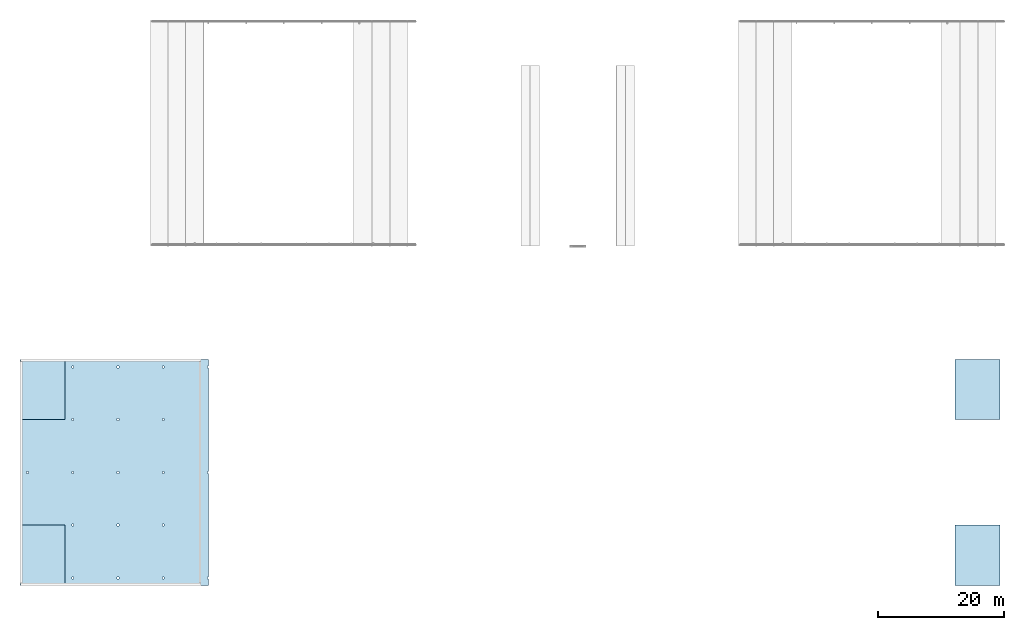
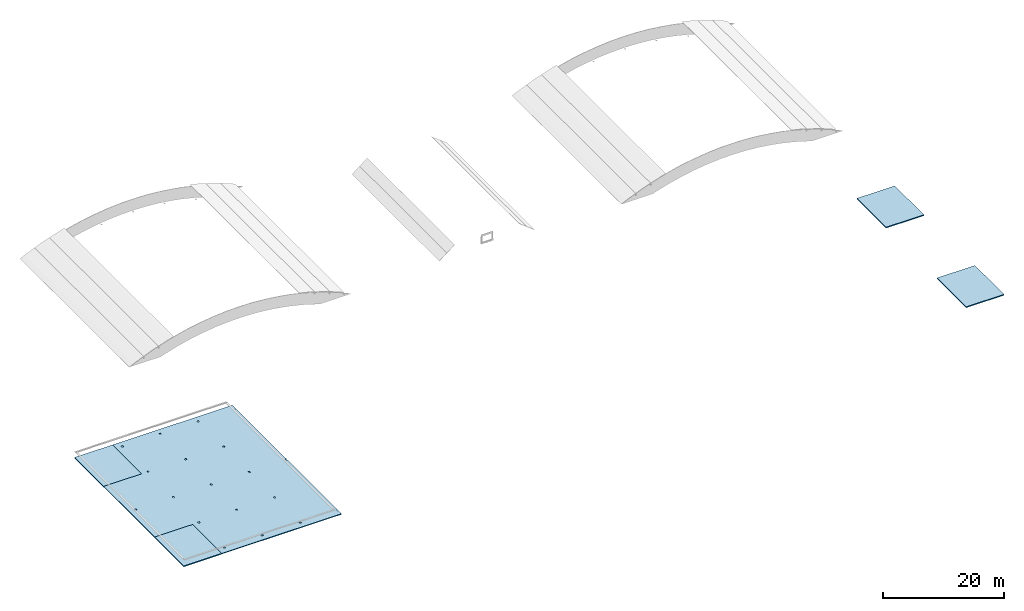
# One storey, part 1 of 17: 5 slabs.
"""IFC4 building model written with IfcOpenShell, lengths in metres."""

from ifc_helpers import new_model, si_unit, direction, frame, origin, place, context, subcontext, project, spatial, polyline, outline, extrude, material, layer, layer_set, type_object, element, save


model = new_model("IFC4")

# Units and contexts
model_context = context("Model", 3, precision=1e-05, world=origin(), true_north=direction((0.0, 1.0)))
body_context = subcontext(model_context, "Body", "Model", "MODEL_VIEW")
ifc_project = project(units=[si_unit("LENGTHUNIT", "METRE"), si_unit("AREAUNIT", "SQUARE_METRE"), si_unit("VOLUMEUNIT", "CUBIC_METRE"), si_unit("PLANEANGLEUNIT", "RADIAN"), si_unit("MASSUNIT", "GRAM", prefix="KILO")], contexts=[model_context])

# Site, building, storey
site_placement = place(None, origin())
site = spatial("IfcSite", under=ifc_project, at=site_placement, CompositionType="ELEMENT")
building_placement = place(site_placement, origin())
building = spatial("IfcBuilding", under=site, at=building_placement, Name="Verrick Yard Athletic Hall", CompositionType="ELEMENT")
storey_placement = place(building_placement, frame((0.0, 0.0, 18.199951171875)))
storey = spatial("IfcBuildingStorey", under=building, at=storey_placement, Name="Roof", CompositionType="ELEMENT", Elevation=18.199951171875)

# Slabs
ifc_material = material(Name="Concrete 35 MPa", Category="concrete")
ifc_layer_1 = layer(ifc_material, 0.199951171875)
ifc_layer_set_1 = layer_set([ifc_layer_1], Name="Core roof slab 200")
slab_type_1 = type_object("IfcSlabType", Name="Core roof slab 200", PredefinedType="ROOF", material=ifc_layer_set_1)
slab_1_placement = place(storey_placement, origin())
element("IfcSlab", 1, at=slab_1_placement, inside=storey, type_object=slab_type_1, Name="CORE-CB1-ROOFSLAB", PredefinedType="ROOF", context=body_context, shape_type="SweptSolid", body=[
    extrude(outline(polyline([(10.0, 18.0), (17.199951171875, 18.0), (17.199951171875, 27.60009765625), (10.0, 27.60009765625), (10.0, 18.0)])), origin(), (0.0, 0.0, 1.0), 0.199951171875),
])
slab_2_placement = place(storey_placement, origin())
element("IfcSlab", 2, at=slab_2_placement, inside=storey, type_object=slab_type_1, Name="CORE-CB2-ROOFSLAB", PredefinedType="ROOF", context=body_context, shape_type="SweptSolid", body=[
    extrude(outline(polyline([(10.0, 44.39990234375), (17.199951171875, 44.39990234375), (17.199951171875, 54.0), (10.0, 54.0), (10.0, 44.39990234375)])), origin(), (0.0, 0.0, 1.0), 0.199951171875),
])
slab_3_placement = place(storey_placement, origin())
element("IfcSlab", 3, at=slab_3_placement, inside=storey, type_object=slab_type_1, Name="CORE-CB3-ROOFSLAB", PredefinedType="ROOF", context=body_context, shape_type="SweptSolid", body=[
    extrude(outline(polyline([(158.800048828125, 18.0), (166.0, 18.0), (166.0, 27.60009765625), (158.800048828125, 27.60009765625), (158.800048828125, 18.0)])), origin(), (0.0, 0.0, 1.0), 0.199951171875),
])
slab_4_placement = place(storey_placement, origin())
element("IfcSlab", 4, at=slab_4_placement, inside=storey, type_object=slab_type_1, Name="CORE-CB4-ROOFSLAB", PredefinedType="ROOF", context=body_context, shape_type="SweptSolid", body=[
    extrude(outline(polyline([(158.800048828125, 44.39990234375), (166.0, 44.39990234375), (166.0, 54.0), (158.800048828125, 54.0), (158.800048828125, 44.39990234375)])), origin(), (0.0, 0.0, 1.0), 0.199951171875),
])
ifc_layer_2 = layer(ifc_material, 0.14990234375)
ifc_layer_set_2 = layer_set([ifc_layer_2], Name="STR Wing roof slab SL5")
slab_type_2 = type_object("IfcSlabType", Name="STR Wing roof slab SL5", PredefinedType="ROOF", material=ifc_layer_set_2)
slab_5_placement = place(storey_placement, frame((0.0, 0.0, 0.050048828125)))
element("IfcSlab", 5, at=slab_5_placement, inside=storey, type_object=slab_type_2, Name="STR-SL-WING-ROOF", PredefinedType="ROOF", context=body_context, shape_type="SweptSolid", body=[
    extrude(outline(polyline([(40.0, 18.0), (40.0, 19.03857421875), (39.845458984375, 19.03857421875), (39.845458984375, 19.361572265625), (40.0, 19.361572265625), (40.0, 35.83837890625), (39.845458984375, 35.83837890625), (39.845458984375, 36.16162109375), (40.0, 36.16162109375), (40.0, 52.638427734375), (39.845458984375, 52.638427734375), (39.845458984375, 52.96142578125), (40.0, 52.96142578125), (40.0, 54.0), (17.199951171875, 54.0), (17.199951171875, 44.39990234375), (10.0, 44.39990234375), (10.0, 27.60009765625), (17.199951171875, 27.60009765625), (17.199951171875, 18.0), (40.0, 18.0)]), holes=[polyline([(18.554443359375, 19.361572265625), (18.554443359375, 19.03857421875), (18.24560546875, 19.03857421875), (18.24560546875, 19.361572265625), (18.554443359375, 19.361572265625)]), polyline([(18.554443359375, 27.761474609375), (18.554443359375, 27.4384765625), (18.24560546875, 27.4384765625), (18.24560546875, 27.761474609375), (18.554443359375, 27.761474609375)]), polyline([(11.3544921875, 35.83837890625), (11.04541015625, 35.83837890625), (11.04541015625, 36.16162109375), (11.3544921875, 36.16162109375), (11.3544921875, 35.83837890625)]), polyline([(18.554443359375, 35.83837890625), (18.24560546875, 35.83837890625), (18.24560546875, 36.16162109375), (18.554443359375, 36.16162109375), (18.554443359375, 35.83837890625)]), polyline([(25.75439453125, 36.16162109375), (25.75439453125, 35.83837890625), (25.445556640625, 35.83837890625), (25.445556640625, 36.16162109375), (25.75439453125, 36.16162109375)]), polyline([(18.554443359375, 44.5615234375), (18.554443359375, 44.238525390625), (18.24560546875, 44.238525390625), (18.24560546875, 44.5615234375), (18.554443359375, 44.5615234375)]), polyline([(25.75439453125, 44.5615234375), (25.75439453125, 44.238525390625), (25.445556640625, 44.238525390625), (25.445556640625, 44.5615234375), (25.75439453125, 44.5615234375)]), polyline([(18.554443359375, 52.638427734375), (18.24560546875, 52.638427734375), (18.24560546875, 52.96142578125), (18.554443359375, 52.96142578125), (18.554443359375, 52.638427734375)]), polyline([(25.75439453125, 52.96142578125), (25.75439453125, 52.638427734375), (25.445556640625, 52.638427734375), (25.445556640625, 52.96142578125), (25.75439453125, 52.96142578125)]), polyline([(25.75439453125, 19.361572265625), (25.75439453125, 19.03857421875), (25.445556640625, 19.03857421875), (25.445556640625, 19.361572265625), (25.75439453125, 19.361572265625)]), polyline([(32.95458984375, 19.361572265625), (32.95458984375, 19.03857421875), (32.6455078125, 19.03857421875), (32.6455078125, 19.361572265625), (32.95458984375, 19.361572265625)]), polyline([(25.75439453125, 27.4384765625), (25.445556640625, 27.4384765625), (25.445556640625, 27.761474609375), (25.75439453125, 27.761474609375), (25.75439453125, 27.4384765625)]), polyline([(32.95458984375, 27.761474609375), (32.95458984375, 27.4384765625), (32.6455078125, 27.4384765625), (32.6455078125, 27.761474609375), (32.95458984375, 27.761474609375)]), polyline([(32.95458984375, 35.83837890625), (32.6455078125, 35.83837890625), (32.6455078125, 36.16162109375), (32.95458984375, 36.16162109375), (32.95458984375, 35.83837890625)]), polyline([(32.95458984375, 44.5615234375), (32.95458984375, 44.238525390625), (32.6455078125, 44.238525390625), (32.6455078125, 44.5615234375), (32.95458984375, 44.5615234375)]), polyline([(32.95458984375, 52.638427734375), (32.6455078125, 52.638427734375), (32.6455078125, 52.96142578125), (32.95458984375, 52.96142578125), (32.95458984375, 52.638427734375)])]), origin(), (0.0, 0.0, 1.0), 0.14990234375),
])

save(model, "model.ifc")
